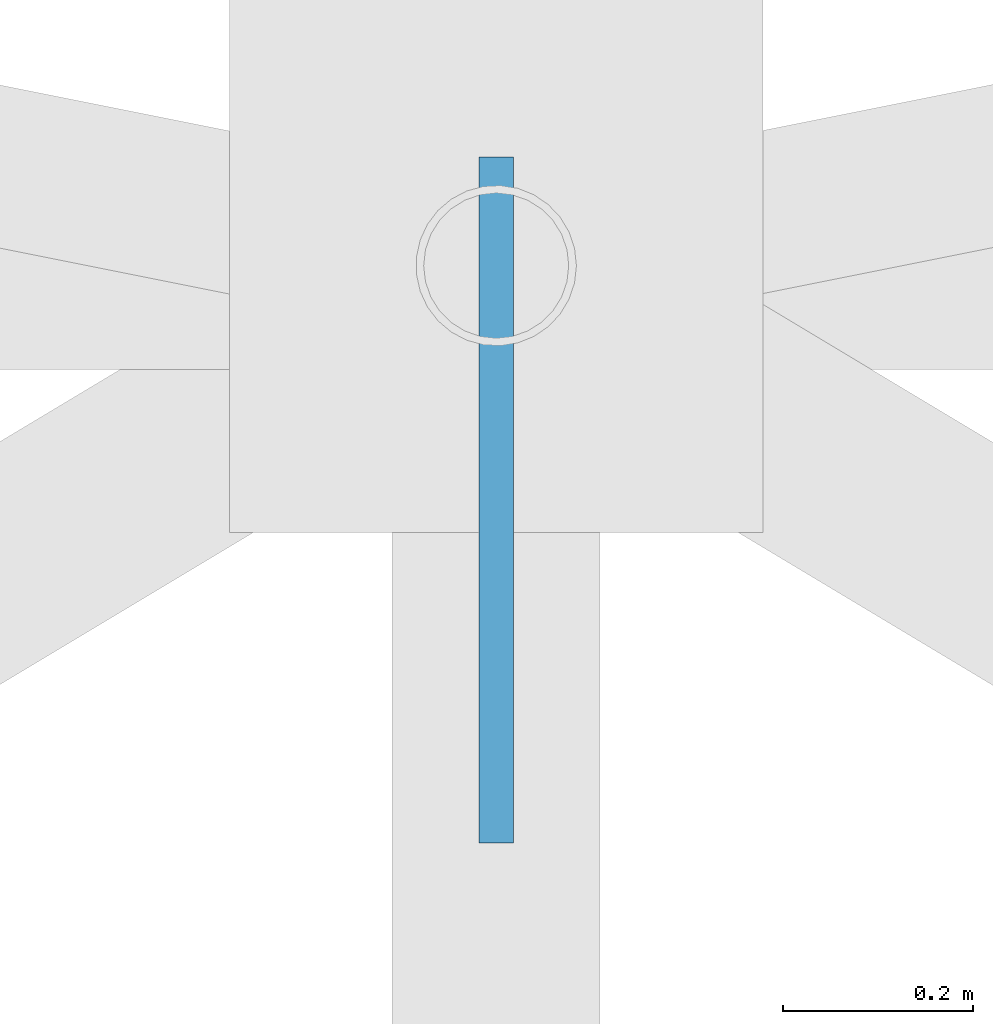
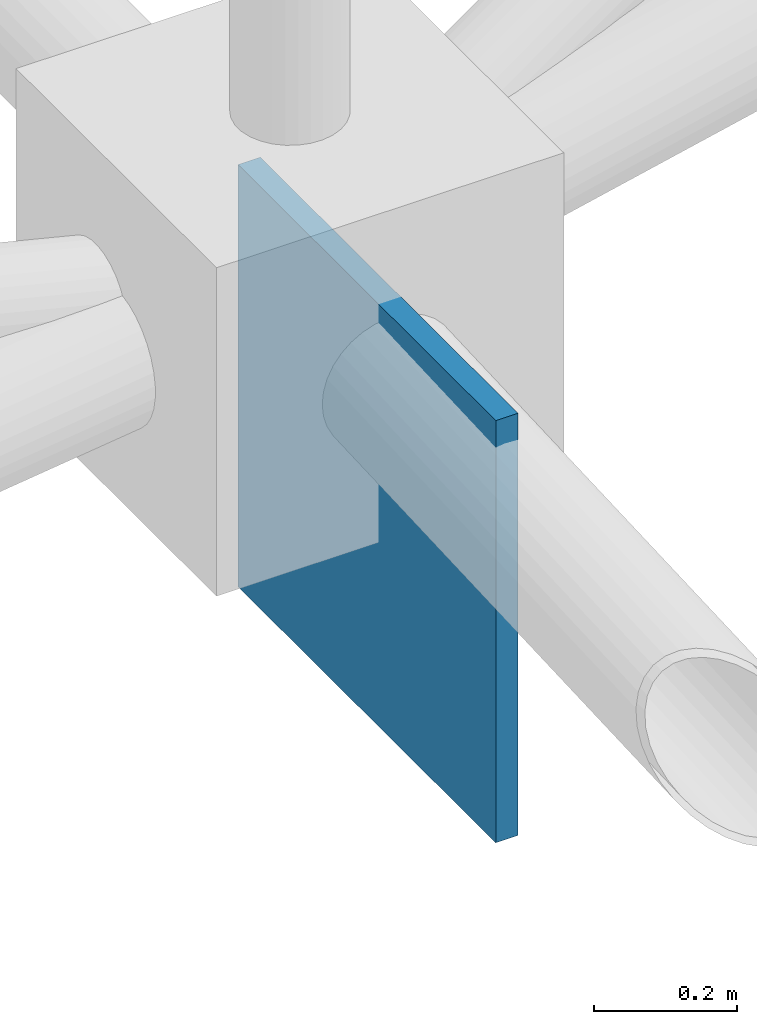
# One storey, part 166 of 224: 1 plate.
"""IFC4 building model written with IfcOpenShell, lengths in metres."""

from ifc_helpers import new_model, si_unit, direction, frame, origin, origin_2d, place, context, subcontext, project, spatial, rectangle, extrude, material, layer, layer_set, type_object, element, save


model = new_model("IFC4")

# Units and contexts
model_context = context("Model", 3, precision=1e-05, world=origin(), true_north=direction((0.0, 1.0)))
body_context = subcontext(model_context, "Body", "Model", "MODEL_VIEW")
ifc_project = project(units=[si_unit("LENGTHUNIT", "METRE"), si_unit("AREAUNIT", "SQUARE_METRE"), si_unit("VOLUMEUNIT", "CUBIC_METRE"), si_unit("PLANEANGLEUNIT", "RADIAN"), si_unit("MASSUNIT", "GRAM", prefix="KILO")], contexts=[model_context])

# Site, building, storey
site_placement = place(None, origin())
site = spatial("IfcSite", under=ifc_project, at=site_placement, CompositionType="ELEMENT")
building_placement = place(site_placement, origin())
building = spatial("IfcBuilding", under=site, at=building_placement, Name="Qamarlyn Nura Convention Centre", CompositionType="ELEMENT")
storey_placement = place(building_placement, frame((0.0, 0.0, 10.800048828125)))
storey = spatial("IfcBuildingStorey", under=building, at=storey_placement, Name="L02", CompositionType="ELEMENT", Elevation=10.800048828125)

# Plate
ifc_material = material(Name="Structural steel ASTM A572 Grade 50", Category="steel")
ifc_layer = layer(ifc_material, 0.035888671875, Name="GP-SN1")
ifc_layer_set = layer_set([ifc_layer], Name="Structural steel ASTM A572 Grade 50")
plate_type = type_object("IfcPlateType", Name="GP-SN1", PredefinedType="USERDEFINED", material=ifc_layer_set)
plate_placement = place(storey_placement, frame((105.0, 111.75390625, 2.576171875), z_axis=(0.0, 0.0, 1.0), x_axis=(0.0, 1.0, 0.0)))
element("IfcPlate", 1, at=plate_placement, inside=storey, type_object=plate_type, Name="Tree strut gusset plate N-9-H", ObjectType="GUSSET PLATE", PredefinedType="USERDEFINED", context=body_context, shape_type="SweptSolid", body=[
    extrude(rectangle(XDim=0.719970703125, YDim=0.035888671875, at=origin_2d()), origin(), (0.0, 0.0, 1.0), 0.719970703125),
])

save(model, "model.ifc")
